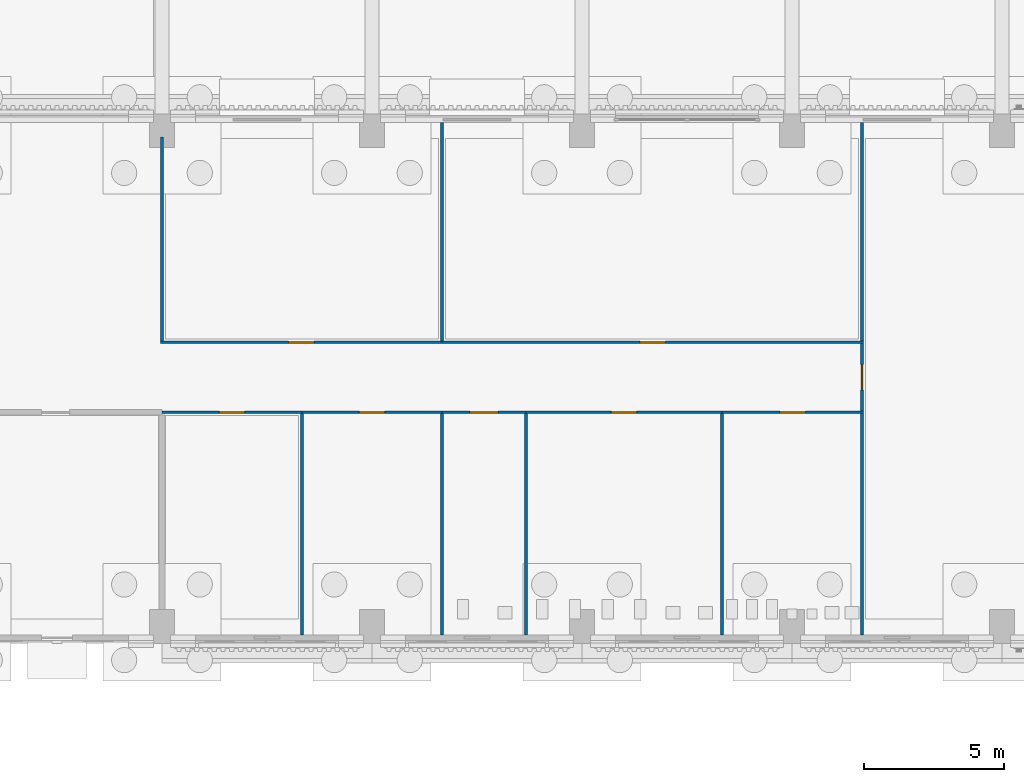
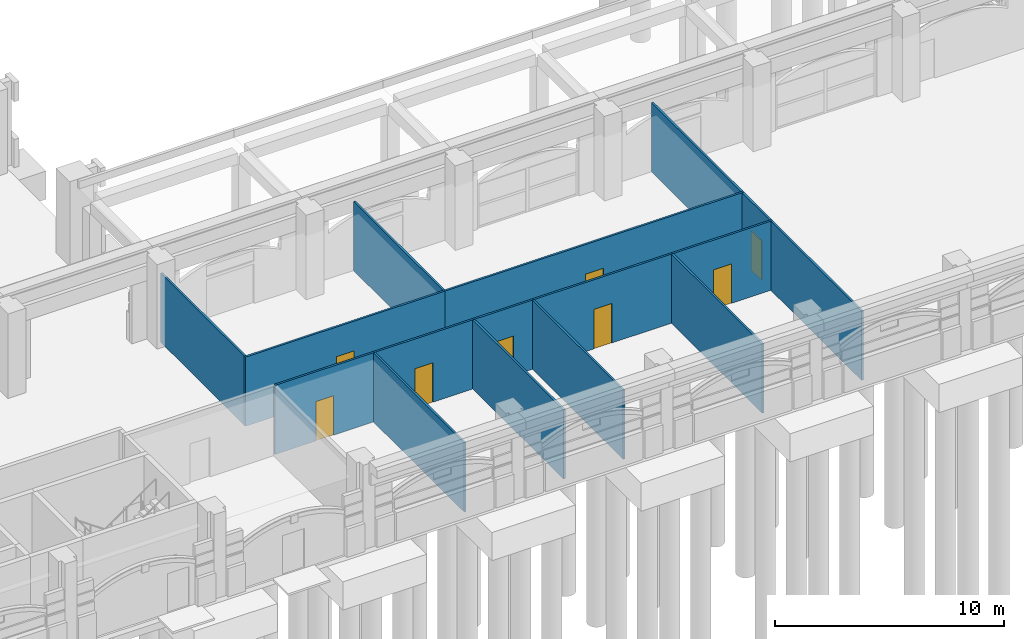
# One storey, part 36 of 99: 16 walls, 8 doors, 8 openings.
"""IFC4 building model written with IfcOpenShell, lengths in metres."""

from ifc_helpers import new_model, si_unit, direction, frame, frame_2d, origin, place, context, subcontext, project, spatial, rectangle, extrude, material, layer, layer_set, type_object, element, fill, save


model = new_model("IFC4")

# Units and contexts
model_context = context("Model", 3, precision=1e-05, world=origin(), true_north=direction((0.0, 1.0)))
body_context = subcontext(model_context, "Body", "Model", "MODEL_VIEW")
ifc_project = project(units=[si_unit("LENGTHUNIT", "METRE"), si_unit("AREAUNIT", "SQUARE_METRE"), si_unit("VOLUMEUNIT", "CUBIC_METRE"), si_unit("PLANEANGLEUNIT", "RADIAN"), si_unit("MASSUNIT", "GRAM", prefix="KILO")], contexts=[model_context])

# Site, building, storey
site_placement = place(None, origin())
site = spatial("IfcSite", under=ifc_project, at=site_placement, CompositionType="ELEMENT")
building_placement = place(site_placement, origin())
building = spatial("IfcBuilding", under=site, at=building_placement, Name="Cour d'Honneur Mobility Palace", CompositionType="ELEMENT")
storey_placement = place(building_placement, origin())
storey = spatial("IfcBuildingStorey", under=building, at=storey_placement, Name="L00", CompositionType="ELEMENT", Elevation=0.0)

# Walls
ifc_material_1 = material(Name="Gypsum plasterboard")
ifc_layer = layer(ifc_material_1, 0.10009765625)
ifc_layer_set = layer_set([ifc_layer], Name="Gypsum plasterboard")
wall_type = type_object("IfcWallType", Name="Partition 100", PredefinedType="PARTITIONING", material=ifc_layer_set)
for number, where, z_axis, x_axis, name in (
    (1, (104.89990234375, 44.550048828125, 0.0), (0.0, 0.0, 1.0), (0.0, 1.0, 0.0), "Partition 037"),
    (2, (109.89990234375, 44.550048828125, 0.0), (0.0, 0.0, 1.0), (0.0, 1.0, 0.0), "Partition 038"),
    (3, (112.89990234375, 44.550048828125, 0.0), (0.0, 0.0, 1.0), (0.0, 1.0, 0.0), "Partition 039"),
    (4, (119.89990234375, 44.550048828125, 0.0), (0.0, 0.0, 1.0), (0.0, 1.0, 0.0), "Partition 040"),
):
    element("IfcWall", number, at=place(storey_placement, frame(where, z_axis=z_axis, x_axis=x_axis)), inside=storey, type_object=wall_type, Name=name, PredefinedType="PARTITIONING", context=body_context, shape_type="SweptSolid", body=[
        extrude(rectangle(XDim=7.89990234375, YDim=0.10009765625, at=frame_2d((3.949951171875, 0.0))), origin(), (0.0, 0.0, 1.0), 3.679931640625),
    ])

# Wall, opening, door
wall_1_placement = place(storey_placement, frame((104.89990234375, 52.5, 0.0), z_axis=(0.0, 0.0, 1.0), x_axis=(-1.0, 0.0, 0.0)))
wall_1 = element("IfcWall", 5, at=wall_1_placement, inside=storey, type_object=wall_type, Name="Partition 058", PredefinedType="PARTITIONING", context=body_context, shape_type="SweptSolid", body=[
    extrude(rectangle(XDim=5.0, YDim=0.10009765625, at=frame_2d((2.5, 0.0))), origin(), (0.0, 0.0, 1.0), 3.679931640625),
])
opening_1_placement = place(wall_1_placement, frame((2.050048828125, 0.0, 0.0)))
opening_1 = element("IfcOpeningElement", 6, at=opening_1_placement, cuts=wall_1, Name="Opening D0023", PredefinedType="OPENING", context=body_context, shape_type="SweptSolid", body=[
    extrude(rectangle(XDim=0.89990234375, YDim=2.10009765625, at=frame_2d((0.449951171875, 1.050048828125))), frame((0.0, 0.06005859375, 0.0), z_axis=(0.0, -1.0, 0.0), x_axis=(1.0, 0.0, 0.0)), (0.0, 0.0, 1.0), 0.1201171875),
])
ifc_material_2 = material(Name="Solid timber", Category="wood")
door_type_1 = type_object("IfcDoorType", Name="Single door 900 x 2100", OperationType="SINGLE_SWING_LEFT", PredefinedType="DOOR", material=ifc_material_2)
door_1_placement = place(opening_1_placement, origin())
door_1 = element("IfcDoor", 7, at=door_1_placement, inside=storey, type_object=door_type_1, Name="Door Parking Management Office", OperationType="SINGLE_SWING_RIGHT", OverallHeight=2.10009765625, OverallWidth=0.89990234375, PredefinedType="DOOR", context=body_context, shape_type="SweptSolid", body=[
    extrude(rectangle(XDim=0.89990234375, YDim=2.10009765625, at=frame_2d((0.449951171875, 1.050048828125))), frame((0.0, 0.02490234375, 0.0), z_axis=(0.0, -1.0, 0.0), x_axis=(1.0, 0.0, 0.0)), (0.0, 0.0, 1.0), 0.050048828125),
])
fill(opening_1, door_1)

wall_2_placement = place(storey_placement, frame((109.89990234375, 52.5, 0.0), z_axis=(0.0, 0.0, 1.0), x_axis=(-1.0, 0.0, 0.0)))
wall_2 = element("IfcWall", 8, at=wall_2_placement, inside=storey, type_object=wall_type, Name="Partition 059", PredefinedType="PARTITIONING", context=body_context, shape_type="SweptSolid", body=[
    extrude(rectangle(XDim=5.0, YDim=0.10009765625, at=frame_2d((2.5, 0.0))), origin(), (0.0, 0.0, 1.0), 3.679931640625),
])
opening_2_placement = place(wall_2_placement, frame((2.050048828125, 0.0, 0.0)))
opening_2 = element("IfcOpeningElement", 9, at=opening_2_placement, cuts=wall_2, Name="Opening D0024", PredefinedType="OPENING", context=body_context, shape_type="SweptSolid", body=[
    extrude(rectangle(XDim=0.89990234375, YDim=2.10009765625, at=frame_2d((0.449951171875, 1.050048828125))), frame((0.0, 0.06005859375, 0.0), z_axis=(0.0, -1.0, 0.0), x_axis=(1.0, 0.0, 0.0)), (0.0, 0.0, 1.0), 0.1201171875),
])
door_2_placement = place(opening_2_placement, origin())
door_2 = element("IfcDoor", 10, at=door_2_placement, inside=storey, type_object=door_type_1, Name="Door Cleaner's Store East", OperationType="SINGLE_SWING_RIGHT", OverallHeight=2.10009765625, OverallWidth=0.89990234375, PredefinedType="DOOR", context=body_context, shape_type="SweptSolid", body=[
    extrude(rectangle(XDim=0.89990234375, YDim=2.10009765625, at=frame_2d((0.449951171875, 1.050048828125))), frame((0.0, 0.02490234375, 0.0), z_axis=(0.0, -1.0, 0.0), x_axis=(1.0, 0.0, 0.0)), (0.0, 0.0, 1.0), 0.050048828125),
])
fill(opening_2, door_2)

wall_3_placement = place(storey_placement, frame((112.89990234375, 52.5, 0.0), z_axis=(0.0, 0.0, 1.0), x_axis=(-1.0, 0.0, 0.0)))
wall_3 = element("IfcWall", 11, at=wall_3_placement, inside=storey, type_object=wall_type, Name="Partition 060", PredefinedType="PARTITIONING", context=body_context, shape_type="SweptSolid", body=[
    extrude(rectangle(XDim=3.0, YDim=0.10009765625, at=frame_2d((1.5, 0.0))), origin(), (0.0, 0.0, 1.0), 3.679931640625),
])
opening_3_placement = place(wall_3_placement, frame((1.0, 0.0, 0.0)))
opening_3 = element("IfcOpeningElement", 12, at=opening_3_placement, cuts=wall_3, Name="Opening D0025", PredefinedType="OPENING", context=body_context, shape_type="SweptSolid", body=[
    extrude(rectangle(XDim=1.0, YDim=2.10009765625, at=frame_2d((0.5, 1.050048828125))), frame((0.0, 0.06005859375, 0.0), z_axis=(0.0, -1.0, 0.0), x_axis=(1.0, 0.0, 0.0)), (0.0, 0.0, 1.0), 0.1201171875),
])
ifc_material_3 = material(Name="Solid timber", Category="wood")
door_type_2 = type_object("IfcDoorType", Name="Accessible door 1000 x 2100", OperationType="SINGLE_SWING_LEFT", PredefinedType="DOOR", material=ifc_material_3)
door_3_placement = place(opening_3_placement, origin())
door_3 = element("IfcDoor", 13, at=door_3_placement, inside=storey, type_object=door_type_2, Name="Door Accessible WC East", OperationType="SINGLE_SWING_RIGHT", OverallHeight=2.10009765625, OverallWidth=1.0, PredefinedType="DOOR", context=body_context, shape_type="SweptSolid", body=[
    extrude(rectangle(XDim=1.0, YDim=2.10009765625, at=frame_2d((0.5, 1.050048828125))), frame((0.0, 0.02490234375, 0.0), z_axis=(0.0, -1.0, 0.0), x_axis=(1.0, 0.0, 0.0)), (0.0, 0.0, 1.0), 0.050048828125),
])
fill(opening_3, door_3)

wall_4_placement = place(storey_placement, frame((119.89990234375, 52.5, 0.0), z_axis=(0.0, 0.0, 1.0), x_axis=(-1.0, 0.0, 0.0)))
wall_4 = element("IfcWall", 14, at=wall_4_placement, inside=storey, type_object=wall_type, Name="Partition 061", PredefinedType="PARTITIONING", context=body_context, shape_type="SweptSolid", body=[
    extrude(rectangle(XDim=7.0, YDim=0.10009765625, at=frame_2d((3.5, 0.0))), origin(), (0.0, 0.0, 1.0), 3.679931640625),
])
opening_4_placement = place(wall_4_placement, frame((3.050048828125, 0.0, 0.0)))
opening_4 = element("IfcOpeningElement", 15, at=opening_4_placement, cuts=wall_4, Name="Opening D0026", PredefinedType="OPENING", context=body_context, shape_type="SweptSolid", body=[
    extrude(rectangle(XDim=0.89990234375, YDim=2.10009765625, at=frame_2d((0.449951171875, 1.050048828125))), frame((0.0, 0.06005859375, 0.0), z_axis=(0.0, -1.0, 0.0), x_axis=(1.0, 0.0, 0.0)), (0.0, 0.0, 1.0), 0.1201171875),
])
door_4_placement = place(opening_4_placement, origin())
door_4 = element("IfcDoor", 16, at=door_4_placement, inside=storey, type_object=door_type_1, Name="Door WC Women East", OperationType="SINGLE_SWING_RIGHT", OverallHeight=2.10009765625, OverallWidth=0.89990234375, PredefinedType="DOOR", context=body_context, shape_type="SweptSolid", body=[
    extrude(rectangle(XDim=0.89990234375, YDim=2.10009765625, at=frame_2d((0.449951171875, 1.050048828125))), frame((0.0, 0.02490234375, 0.0), z_axis=(0.0, -1.0, 0.0), x_axis=(1.0, 0.0, 0.0)), (0.0, 0.0, 1.0), 0.050048828125),
])
fill(opening_4, door_4)

# Wall
wall_5_placement = place(storey_placement, frame((124.89990234375, 52.449951171875, 0.0), z_axis=(0.0, 0.0, 1.0), x_axis=(0.0, -1.0, 0.0)))
element("IfcWall", 17, at=wall_5_placement, inside=storey, type_object=wall_type, Name="Partition 062", PredefinedType="PARTITIONING", context=body_context, shape_type="SweptSolid", body=[
    extrude(rectangle(XDim=7.89990234375, YDim=0.10009765625, at=frame_2d((3.949951171875, 0.0))), origin(), (0.0, 0.0, 1.0), 3.679931640625),
])

# Wall, opening, door
wall_6_placement = place(storey_placement, frame((124.949951171875, 52.5, 0.0), z_axis=(0.0, 0.0, 1.0), x_axis=(-1.0, 0.0, 0.0)))
wall_6 = element("IfcWall", 18, at=wall_6_placement, inside=storey, type_object=wall_type, Name="Partition 063", PredefinedType="PARTITIONING", context=body_context, shape_type="SweptSolid", body=[
    extrude(rectangle(XDim=5.050048828125, YDim=0.10009765625, at=frame_2d((2.52490234375, 0.0))), origin(), (0.0, 0.0, 1.0), 3.679931640625),
])
opening_5_placement = place(wall_6_placement, frame((2.074951171875, 0.0, 0.0)))
opening_5 = element("IfcOpeningElement", 19, at=opening_5_placement, cuts=wall_6, Name="Opening D0027", PredefinedType="OPENING", context=body_context, shape_type="SweptSolid", body=[
    extrude(rectangle(XDim=0.89990234375, YDim=2.10009765625, at=frame_2d((0.449951171875, 1.050048828125))), frame((0.0, 0.06005859375, 0.0), z_axis=(0.0, -1.0, 0.0), x_axis=(1.0, 0.0, 0.0)), (0.0, 0.0, 1.0), 0.1201171875),
])
door_5_placement = place(opening_5_placement, origin())
door_5 = element("IfcDoor", 20, at=door_5_placement, inside=storey, type_object=door_type_1, Name="Door WC Men East", OperationType="SINGLE_SWING_RIGHT", OverallHeight=2.10009765625, OverallWidth=0.89990234375, PredefinedType="DOOR", context=body_context, shape_type="SweptSolid", body=[
    extrude(rectangle(XDim=0.89990234375, YDim=2.10009765625, at=frame_2d((0.449951171875, 1.050048828125))), frame((0.0, 0.02490234375, 0.0), z_axis=(0.0, -1.0, 0.0), x_axis=(1.0, 0.0, 0.0)), (0.0, 0.0, 1.0), 0.050048828125),
])
fill(opening_5, door_5)

wall_7_placement = place(storey_placement, frame((99.85009765625, 55.0, 0.0), z_axis=(0.0, 0.0, 1.0), x_axis=(1.0, 0.0, 0.0)))
wall_7 = element("IfcWall", 21, at=wall_7_placement, inside=storey, type_object=wall_type, Name="Partition 081", PredefinedType="PARTITIONING", context=body_context, shape_type="SweptSolid", body=[
    extrude(rectangle(XDim=10.0498046875, YDim=0.10009765625, at=frame_2d((5.02490234375, 0.0))), origin(), (0.0, 0.0, 1.0), 3.679931640625),
])
opening_6_placement = place(wall_7_placement, frame((4.574951171875, 0.0, 0.0)))
opening_6 = element("IfcOpeningElement", 22, at=opening_6_placement, cuts=wall_7, Name="Opening D0030", PredefinedType="OPENING", context=body_context, shape_type="SweptSolid", body=[
    extrude(rectangle(XDim=0.89990234375, YDim=2.10009765625, at=frame_2d((0.449951171875, 1.050048828125))), frame((0.0, 0.06005859375, 0.0), z_axis=(0.0, -1.0, 0.0), x_axis=(1.0, 0.0, 0.0)), (0.0, 0.0, 1.0), 0.1201171875),
])
door_6_placement = place(opening_6_placement, origin())
door_6 = element("IfcDoor", 23, at=door_6_placement, inside=storey, type_object=door_type_1, Name="Door Ticket Office", OperationType="SINGLE_SWING_RIGHT", OverallHeight=2.10009765625, OverallWidth=0.89990234375, PredefinedType="DOOR", context=body_context, shape_type="SweptSolid", body=[
    extrude(rectangle(XDim=0.89990234375, YDim=2.10009765625, at=frame_2d((0.449951171875, 1.050048828125))), frame((0.0, 0.02490234375, 0.0), z_axis=(0.0, -1.0, 0.0), x_axis=(1.0, 0.0, 0.0)), (0.0, 0.0, 1.0), 0.050048828125),
])
fill(opening_6, door_6)

wall_8_placement = place(storey_placement, frame((109.89990234375, 55.0, 0.0), z_axis=(0.0, 0.0, 1.0), x_axis=(1.0, 0.0, 0.0)))
wall_8 = element("IfcWall", 24, at=wall_8_placement, inside=storey, type_object=wall_type, Name="Partition 082", PredefinedType="PARTITIONING", context=body_context, shape_type="SweptSolid", body=[
    extrude(rectangle(XDim=15.050048828125, YDim=0.10009765625, at=frame_2d((7.52490234375, 0.0))), origin(), (0.0, 0.0, 1.0), 3.679931640625),
])
opening_7_placement = place(wall_8_placement, frame((7.074951171875, 0.0, 0.0)))
opening_7 = element("IfcOpeningElement", 25, at=opening_7_placement, cuts=wall_8, Name="Opening D0031", PredefinedType="OPENING", context=body_context, shape_type="SweptSolid", body=[
    extrude(rectangle(XDim=0.89990234375, YDim=2.10009765625, at=frame_2d((0.449951171875, 1.050048828125))), frame((0.0, 0.06005859375, 0.0), z_axis=(0.0, -1.0, 0.0), x_axis=(1.0, 0.0, 0.0)), (0.0, 0.0, 1.0), 0.1201171875),
])
door_7_placement = place(opening_7_placement, origin())
door_7 = element("IfcDoor", 26, at=door_7_placement, inside=storey, type_object=door_type_1, Name="Door Mobility Shop", OperationType="SINGLE_SWING_LEFT", OverallHeight=2.10009765625, OverallWidth=0.89990234375, PredefinedType="DOOR", context=body_context, shape_type="SweptSolid", body=[
    extrude(rectangle(XDim=0.89990234375, YDim=2.10009765625, at=frame_2d((0.449951171875, 1.050048828125))), frame((0.0, 0.02490234375, 0.0), z_axis=(0.0, -1.0, 0.0), x_axis=(1.0, 0.0, 0.0)), (0.0, 0.0, 1.0), 0.050048828125),
])
fill(opening_7, door_7)

# Wall
wall_9_placement = place(storey_placement, frame((109.89990234375, 55.050048828125, 0.0), z_axis=(0.0, 0.0, 1.0), x_axis=(0.0, 1.0, 0.0)))
element("IfcWall", 27, at=wall_9_placement, inside=storey, type_object=wall_type, Name="Partition 083", PredefinedType="PARTITIONING", context=body_context, shape_type="SweptSolid", body=[
    extrude(rectangle(XDim=7.800048828125, YDim=0.10009765625, at=frame_2d((3.89990234375, 0.0))), origin(), (0.0, 0.0, 1.0), 3.679931640625),
])

# Wall, opening, door
wall_10_placement = place(storey_placement, frame((124.89990234375, 54.949951171875, 0.0), z_axis=(0.0, 0.0, 1.0), x_axis=(0.0, -1.0, 0.0)))
wall_10 = element("IfcWall", 28, at=wall_10_placement, inside=storey, type_object=wall_type, Name="Partition 084", PredefinedType="PARTITIONING", context=body_context, shape_type="SweptSolid", body=[
    extrude(rectangle(XDim=2.39990234375, YDim=0.10009765625, at=frame_2d((1.199951171875, 0.0))), origin(), (0.0, 0.0, 1.0), 3.679931640625),
])
opening_8_placement = place(wall_10_placement, frame((0.75, 0.0, 0.0)))
opening_8 = element("IfcOpeningElement", 29, at=opening_8_placement, cuts=wall_10, Name="Opening D0016", PredefinedType="OPENING", context=body_context, shape_type="SweptSolid", body=[
    extrude(rectangle(XDim=0.89990234375, YDim=2.10009765625, at=frame_2d((0.449951171875, 1.050048828125))), frame((0.0, 0.06005859375, 0.0), z_axis=(0.0, -1.0, 0.0), x_axis=(1.0, 0.0, 0.0)), (0.0, 0.0, 1.0), 0.1201171875),
])
door_8_placement = place(opening_8_placement, origin())
door_8 = element("IfcDoor", 30, at=door_8_placement, inside=storey, type_object=door_type_1, Name="Door Charging Hub Waiting", OperationType="SINGLE_SWING_RIGHT", OverallHeight=2.10009765625, OverallWidth=0.89990234375, PredefinedType="DOOR", context=body_context, shape_type="SweptSolid", body=[
    extrude(rectangle(XDim=0.89990234375, YDim=2.10009765625, at=frame_2d((0.449951171875, 1.050048828125))), frame((0.0, 0.02490234375, 0.0), z_axis=(0.0, -1.0, 0.0), x_axis=(1.0, 0.0, 0.0)), (0.0, 0.0, 1.0), 0.050048828125),
])
fill(opening_8, door_8)

# Walls
wall_11_placement = place(storey_placement, frame((99.89990234375, 62.340087890625, 0.0), z_axis=(0.0, 0.0, 1.0), x_axis=(0.0, -1.0, 0.0)))
element("IfcWall", 31, at=wall_11_placement, inside=storey, type_object=wall_type, Name="Partition 086", PredefinedType="PARTITIONING", context=body_context, shape_type="SweptSolid", body=[
    extrude(rectangle(XDim=7.2900390625, YDim=0.10009765625, at=frame_2d((3.64501953125, 0.0))), origin(), (0.0, 0.0, 1.0), 3.679931640625),
])
wall_12_placement = place(storey_placement, frame((124.89990234375, 62.85009765625, 0.0), z_axis=(0.0, 0.0, 1.0), x_axis=(0.0, -1.0, 0.0)))
element("IfcWall", 32, at=wall_12_placement, inside=storey, type_object=wall_type, Name="Partition 087", PredefinedType="PARTITIONING", context=body_context, shape_type="SweptSolid", body=[
    extrude(rectangle(XDim=7.800048828125, YDim=0.10009765625, at=frame_2d((3.89990234375, 0.0))), origin(), (0.0, 0.0, 1.0), 3.679931640625),
])

save(model, "model.ifc")
